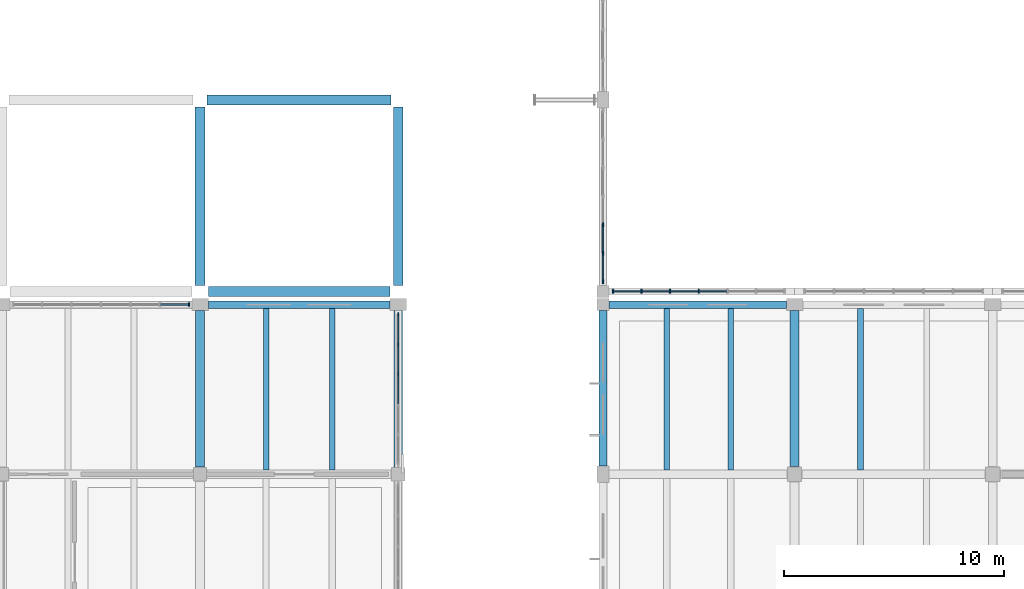
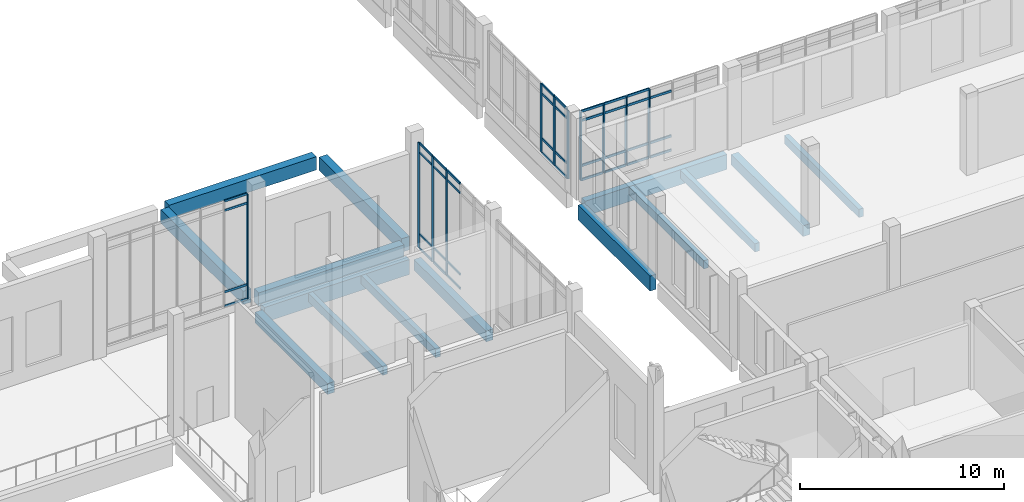
# One storey, part 32 of 110: 50 members, 15 beams, 4 elements without a shape of their own.
"""IFC4 building model written with IfcOpenShell, lengths in metres."""

from ifc_helpers import new_model, si_unit, direction, frame, origin, origin_2d, place, context, subcontext, project, spatial, rectangle, extrude, material, layer, layer_set, material_profile, profile_set, type_object, element, aggregate, save


model = new_model("IFC4")

# Units and contexts
model_context = context("Model", 3, precision=1e-05, world=origin(), true_north=direction((0.0, 1.0)))
body_context = subcontext(model_context, "Body", "Model", "MODEL_VIEW")
ifc_project = project(units=[si_unit("LENGTHUNIT", "METRE"), si_unit("AREAUNIT", "SQUARE_METRE"), si_unit("VOLUMEUNIT", "CUBIC_METRE"), si_unit("PLANEANGLEUNIT", "RADIAN"), si_unit("MASSUNIT", "GRAM", prefix="KILO")], contexts=[model_context])

# Site, building, storey
site_placement = place(None, origin())
site = spatial("IfcSite", under=ifc_project, at=site_placement, CompositionType="ELEMENT")
building_placement = place(site_placement, origin())
building = spatial("IfcBuilding", under=site, at=building_placement, Name="Zacnel Wholesale Market", CompositionType="ELEMENT")
storey_placement = place(building_placement, frame((0.0, 0.0, 6.300048828125)))
storey = spatial("IfcBuildingStorey", under=building, at=storey_placement, Name="L02", CompositionType="ELEMENT", Elevation=6.300048828125)

# Beams
ifc_material_1 = material(Name="Precast concrete C45/55", Category="concrete")
ifc_material_profile_1 = material_profile(ifc_material_1, rectangle(XDim=0.39990234375, YDim=0.64990234375, at=origin_2d()), Name="PG 400x650")
ifc_profile_set_1 = profile_set([ifc_material_profile_1], Name="Precast concrete C45/55")
beam_type_1 = type_object("IfcBeamType", Name="BM-PG650", PredefinedType="BEAM", material=ifc_profile_set_1)
for number, where, z_axis, x_axis, name in (
    (1, (126.0, 40.324951171875, -0.625), (0.0, 1.0, 0.0), (-1.0, 0.0, 0.0), "Precast girder Y-0456"),
    (2, (135.0, 40.324951171875, -0.625), (0.0, 1.0, 0.0), (-1.0, 0.0, 0.0), "Precast girder Y-0463"),
):
    element("IfcBeam", number, at=place(storey_placement, frame(where, z_axis=z_axis, x_axis=x_axis)), inside=storey, type_object=beam_type_1, Name=name, PredefinedType="BEAM", context=body_context, shape_type="SweptSolid", body=[
        extrude(rectangle(XDim=0.39990234375, YDim=0.64990234375, at=origin_2d()), origin(), (0.0, 0.0, 1.0), 7.10009765625),
    ])
beam_1_placement = place(storey_placement, frame((153.0, 40.35009765625, -0.625), z_axis=(0.0, 1.0, 0.0), x_axis=(-1.0, 0.0, 0.0)))
element("IfcBeam", 3, at=beam_1_placement, inside=storey, type_object=beam_type_1, Name="Precast girder Y-0486", PredefinedType="BEAM", context=body_context, shape_type="SweptSolid", body=[
    extrude(rectangle(XDim=0.39990234375, YDim=0.64990234375, at=origin_2d()), origin(), (0.0, 0.0, 1.0), 7.074951171875),
])
ifc_material_2 = material(Name="Precast concrete C45/55", Category="concrete")
ifc_material_profile_2 = material_profile(ifc_material_2, rectangle(XDim=0.449951171875, YDim=0.800048828125, at=origin_2d()), Name="PG 450x800")
ifc_profile_set_2 = profile_set([ifc_material_profile_2], Name="Precast concrete C45/55")
beam_type_2 = type_object("IfcBeamType", Name="BM-PG800", PredefinedType="BEAM", material=ifc_profile_set_2)
beam_2_placement = place(storey_placement, frame((126.375, 48.300048828125, -0.16015625), z_axis=(1.0, 0.0, 0.0), x_axis=(0.0, 1.0, 0.0)))
element("IfcBeam", 4, at=beam_2_placement, inside=storey, type_object=beam_type_2, Name="Precast girder X-0150", PredefinedType="BEAM", context=body_context, shape_type="SweptSolid", body=[
    extrude(rectangle(XDim=0.449951171875, YDim=0.800048828125, at=origin_2d()), origin(), (0.0, 0.0, 1.0), 8.25),
])
beam_3_placement = place(storey_placement, frame((126.324951171875, 57.0, -0.16015625), z_axis=(1.0, 0.0, 0.0), x_axis=(0.0, 1.0, 0.0)))
element("IfcBeam", 5, at=beam_3_placement, inside=storey, type_object=beam_type_2, Name="Precast girder X-0168", PredefinedType="BEAM", context=body_context, shape_type="SweptSolid", body=[
    extrude(rectangle(XDim=0.449951171875, YDim=0.800048828125, at=origin_2d()), origin(), (0.0, 0.0, 1.0), 8.35009765625),
])
for number, where, z_axis, x_axis, name in (
    (6, (126.0, 48.574951171875, -0.16015625), (0.0, 1.0, 0.0), (-1.0, 0.0, 0.0), "Precast girder Y-0457"),
    (7, (135.0, 48.574951171875, -0.16015625), (0.0, 1.0, 0.0), (-1.0, 0.0, 0.0), "Precast girder Y-0464"),
):
    element("IfcBeam", number, at=place(storey_placement, frame(where, z_axis=z_axis, x_axis=x_axis)), inside=storey, type_object=beam_type_2, Name=name, PredefinedType="BEAM", context=body_context, shape_type="SweptSolid", body=[
        extrude(rectangle(XDim=0.449951171875, YDim=0.800048828125, at=origin_2d()), origin(), (0.0, 0.0, 1.0), 8.10009765625),
    ])
ifc_material_3 = material(Name="Precast concrete C45/55", Category="concrete")
ifc_material_profile_3 = material_profile(ifc_material_3, rectangle(XDim=0.260009765625, YDim=0.5, at=origin_2d()), Name="PJ 260x500")
ifc_profile_set_3 = profile_set([ifc_material_profile_3], Name="Precast concrete C45/55")
beam_type_3 = type_object("IfcBeamType", Name="BM-PJ500", PredefinedType="HOLLOWCORE", material=ifc_profile_set_3)
for number, where, z_axis, x_axis, name in (
    (8, (129.0, 40.199951171875, -0.550048828125), (0.0, 1.0, 0.0), (-1.0, 0.0, 0.0), "Precast secondary joist L02-0167"),
    (9, (132.0, 40.199951171875, -0.550048828125), (0.0, 1.0, 0.0), (-1.0, 0.0, 0.0), "Precast secondary joist L02-0168"),
    (10, (147.199951171875, 40.199951171875, -0.550048828125), (0.0, 1.0, 0.0), (-1.0, 0.0, 0.0), "Precast secondary joist L02-0169"),
    (11, (150.10009765625, 40.199951171875, -0.550048828125), (0.0, 1.0, 0.0), (-1.0, 0.0, 0.0), "Precast secondary joist L02-0170"),
    (12, (156.0, 40.199951171875, -0.550048828125), (0.0, 1.0, 0.0), (-1.0, 0.0, 0.0), "Precast secondary joist L02-0171"),
):
    element("IfcBeam", number, at=place(storey_placement, frame(where, z_axis=z_axis, x_axis=x_axis)), inside=storey, type_object=beam_type_3, Name=name, PredefinedType="HOLLOWCORE", context=body_context, shape_type="SweptSolid", body=[
        extrude(rectangle(XDim=0.260009765625, YDim=0.5, at=origin_2d()), origin(), (0.0, 0.0, 1.0), 7.324951171875),
    ])
ifc_material_4 = material(Name="Precast concrete C45/55", Category="concrete")
ifc_material_profile_4 = material_profile(ifc_material_4, rectangle(XDim=0.35009765625, YDim=0.89990234375, at=origin_2d()), Name="SP 350x900")
ifc_profile_set_4 = profile_set([ifc_material_profile_4], Name="Precast concrete C45/55")
beam_type_4 = type_object("IfcBeamType", Name="BM-SP900", PredefinedType="SPANDREL", material=ifc_profile_set_4)
beam_4_placement = place(storey_placement, frame((126.375, 47.699951171875, -0.75), z_axis=(1.0, 0.0, 0.0), x_axis=(0.0, 1.0, 0.0)))
element("IfcBeam", 13, at=beam_4_placement, inside=storey, type_object=beam_type_4, Name="Precast girder X-0128", PredefinedType="SPANDREL", context=body_context, shape_type="SweptSolid", body=[
    extrude(rectangle(XDim=0.35009765625, YDim=0.89990234375, at=origin_2d()), origin(), (0.0, 0.0, 1.0), 8.25),
])
beam_5_placement = place(storey_placement, frame((144.574951171875, 47.699951171875, -0.75), z_axis=(1.0, 0.0, 0.0), x_axis=(0.0, 1.0, 0.0)))
element("IfcBeam", 14, at=beam_5_placement, inside=storey, type_object=beam_type_4, Name="Precast girder X-0129", PredefinedType="SPANDREL", context=body_context, shape_type="SweptSolid", body=[
    extrude(rectangle(XDim=0.35009765625, YDim=0.89990234375, at=origin_2d()), origin(), (0.0, 0.0, 1.0), 8.050048828125),
])
beam_6_placement = place(storey_placement, frame((144.300048828125, 40.375, -0.75), z_axis=(0.0, 1.0, 0.0), x_axis=(-1.0, 0.0, 0.0)))
element("IfcBeam", 15, at=beam_6_placement, inside=storey, type_object=beam_type_4, Name="Precast girder Y-0474", PredefinedType="SPANDREL", context=body_context, shape_type="SweptSolid", body=[
    extrude(rectangle(XDim=0.35009765625, YDim=0.89990234375, at=origin_2d()), origin(), (0.0, 0.0, 1.0), 7.050048828125),
])

# Curtain wall, members
ifc_material_5 = material(Name="Anodised aluminium", Category="aluminium")
ifc_layer_1 = layer(ifc_material_5, 0.159912109375)
ifc_layer_set_1 = layer_set([ifc_layer_1], Name="Anodised aluminium")
curtain_wall_type_1 = type_object("IfcCurtainWallType", Name="CW-NAVE-4200", PredefinedType="NOTDEFINED", material=ifc_layer_set_1)
curtain_wall_1_placement = place(storey_placement, origin())
curtain_wall_1 = element("IfcCurtainWall", 16, at=curtain_wall_1_placement, inside=storey, type_object=curtain_wall_type_1, Name="Curtain wall ENV-R2-CW-L02-037", PredefinedType="NOTDEFINED")
ifc_material_6 = material(Name="Anodised aluminium", Category="aluminium")
ifc_material_profile_5 = material_profile(ifc_material_6, rectangle(XDim=0.06494140625, YDim=0.179931640625, at=origin_2d()), Name="AW-MULLION 65x180")
ifc_profile_set_5 = profile_set([ifc_material_profile_5], Name="Anodised aluminium")
member_type_1 = type_object("IfcMemberType", Name="CWM-MUL-03", PredefinedType="MULLION", material=ifc_profile_set_5)
member_1_placement = place(storey_placement, frame((144.75, 48.300048828125, 0.449951171875), z_axis=(0.0, 0.0, 1.0), x_axis=(1.0, 0.0, 0.0)))
member_1 = element("IfcMember", 17, at=member_1_placement, type_object=member_type_1, Name="ENV-R2-CW-L02-037 mullion 01", PredefinedType="MULLION", context=body_context, shape_type="SweptSolid", body=[
    extrude(rectangle(XDim=0.06494140625, YDim=0.179931640625, at=origin_2d()), origin(), (0.0, 0.0, 1.0), 4.10009765625),
])
member_2_placement = place(storey_placement, frame((146.050048828125, 48.300048828125, 0.449951171875), z_axis=(0.0, 0.0, 1.0), x_axis=(1.0, 0.0, 0.0)))
member_2 = element("IfcMember", 18, at=member_2_placement, type_object=member_type_1, Name="ENV-R2-CW-L02-037 mullion 02", PredefinedType="MULLION", context=body_context, shape_type="SweptSolid", body=[
    extrude(rectangle(XDim=0.06494140625, YDim=0.179931640625, at=origin_2d()), origin(), (0.0, 0.0, 1.0), 4.10009765625),
])
member_3_placement = place(storey_placement, frame((147.35009765625, 48.300048828125, 0.449951171875), z_axis=(0.0, 0.0, 1.0), x_axis=(1.0, 0.0, 0.0)))
member_3 = element("IfcMember", 19, at=member_3_placement, type_object=member_type_1, Name="ENV-R2-CW-L02-037 mullion 03", PredefinedType="MULLION", context=body_context, shape_type="SweptSolid", body=[
    extrude(rectangle(XDim=0.06494140625, YDim=0.179931640625, at=origin_2d()), origin(), (0.0, 0.0, 1.0), 4.10009765625),
])
member_4_placement = place(storey_placement, frame((148.64990234375, 48.300048828125, 0.449951171875), z_axis=(0.0, 0.0, 1.0), x_axis=(1.0, 0.0, 0.0)))
member_4 = element("IfcMember", 20, at=member_4_placement, type_object=member_type_1, Name="ENV-R2-CW-L02-037 mullion 04", PredefinedType="MULLION", context=body_context, shape_type="SweptSolid", body=[
    extrude(rectangle(XDim=0.06494140625, YDim=0.179931640625, at=origin_2d()), origin(), (0.0, 0.0, 1.0), 4.10009765625),
])

curtain_wall_2_placement = place(storey_placement, origin())
curtain_wall_2 = element("IfcCurtainWall", 21, at=curtain_wall_2_placement, inside=storey, type_object=curtain_wall_type_1, Name="Curtain wall ENV-R2-CW-L02-041", PredefinedType="NOTDEFINED")
member_5_placement = place(storey_placement, frame((144.300048828125, 48.75, 0.449951171875), z_axis=(0.0, 0.0, 1.0), x_axis=(1.0, 0.0, 0.0)))
member_5 = element("IfcMember", 22, at=member_5_placement, type_object=member_type_1, Name="ENV-R2-CW-L02-041 mullion 01", PredefinedType="MULLION", context=body_context, shape_type="SweptSolid", body=[
    extrude(rectangle(XDim=0.06494140625, YDim=0.179931640625, at=origin_2d()), origin(), (0.0, 0.0, 1.0), 4.10009765625),
])
member_6_placement = place(storey_placement, frame((144.300048828125, 50.04248046875, 0.449951171875), z_axis=(0.0, 0.0, 1.0), x_axis=(1.0, 0.0, 0.0)))
member_6 = element("IfcMember", 23, at=member_6_placement, type_object=member_type_1, Name="ENV-R2-CW-L02-041 mullion 02", PredefinedType="MULLION", context=body_context, shape_type="SweptSolid", body=[
    extrude(rectangle(XDim=0.06494140625, YDim=0.179931640625, at=origin_2d()), origin(), (0.0, 0.0, 1.0), 4.10009765625),
])
member_7_placement = place(storey_placement, frame((144.300048828125, 51.3349609375, 0.449951171875), z_axis=(0.0, 0.0, 1.0), x_axis=(1.0, 0.0, 0.0)))
member_7 = element("IfcMember", 24, at=member_7_placement, type_object=member_type_1, Name="ENV-R2-CW-L02-041 mullion 03", PredefinedType="MULLION", context=body_context, shape_type="SweptSolid", body=[
    extrude(rectangle(XDim=0.06494140625, YDim=0.179931640625, at=origin_2d()), origin(), (0.0, 0.0, 1.0), 4.10009765625),
])

# Curtain wall, member
ifc_material_7 = material(Name="Anodised aluminium", Category="aluminium")
ifc_layer_2 = layer(ifc_material_7, 0.179931640625)
ifc_layer_set_2 = layer_set([ifc_layer_2], Name="Anodised aluminium")
curtain_wall_type_2 = type_object("IfcCurtainWallType", Name="CW-AUCT-5800", PredefinedType="NOTDEFINED", material=ifc_layer_set_2)
curtain_wall_3_placement = place(storey_placement, origin())
curtain_wall_3 = element("IfcCurtainWall", 25, at=curtain_wall_3_placement, inside=storey, type_object=curtain_wall_type_2, Name="Curtain wall ENV-R2-CW-L02-012", PredefinedType="NOTDEFINED")
ifc_material_8 = material(Name="Anodised aluminium", Category="aluminium")
ifc_material_profile_6 = material_profile(ifc_material_8, rectangle(XDim=0.06494140625, YDim=0.1650390625, at=origin_2d()), Name="AW-MULLION 65x165")
ifc_profile_set_6 = profile_set([ifc_material_profile_6], Name="Anodised aluminium")
member_type_2 = type_object("IfcMemberType", Name="CWM-MUL-04", PredefinedType="MULLION", material=ifc_profile_set_6)
member_8_placement = place(storey_placement, frame((125.5048828125, 47.699951171875, 0.449951171875), z_axis=(0.0, 0.0, 1.0), x_axis=(1.0, 0.0, 0.0)))
member_8 = element("IfcMember", 26, at=member_8_placement, type_object=member_type_2, Name="ENV-R2-CW-L02-012 mullion 07", PredefinedType="MULLION", context=body_context, shape_type="SweptSolid", body=[
    extrude(rectangle(XDim=0.06494140625, YDim=0.1650390625, at=origin_2d()), origin(), (0.0, 0.0, 1.0), 6.2900390625),
])

# Curtain wall, members
curtain_wall_4_placement = place(storey_placement, origin())
curtain_wall_4 = element("IfcCurtainWall", 27, at=curtain_wall_4_placement, inside=storey, type_object=curtain_wall_type_2, Name="Curtain wall ENV-R2-CW-L02-015", PredefinedType="NOTDEFINED")
member_9_placement = place(storey_placement, frame((135.0, 44.530029296875, 0.449951171875), z_axis=(0.0, 0.0, 1.0), x_axis=(1.0, 0.0, 0.0)))
member_9 = element("IfcMember", 28, at=member_9_placement, type_object=member_type_2, Name="ENV-R2-CW-L02-015 mullion 04", PredefinedType="MULLION", context=body_context, shape_type="SweptSolid", body=[
    extrude(rectangle(XDim=0.06494140625, YDim=0.1650390625, at=origin_2d()), origin(), (0.0, 0.0, 1.0), 6.2900390625),
])
member_10_placement = place(storey_placement, frame((135.0, 45.889892578125, 0.449951171875), z_axis=(0.0, 0.0, 1.0), x_axis=(1.0, 0.0, 0.0)))
member_10 = element("IfcMember", 29, at=member_10_placement, type_object=member_type_2, Name="ENV-R2-CW-L02-015 mullion 05", PredefinedType="MULLION", context=body_context, shape_type="SweptSolid", body=[
    extrude(rectangle(XDim=0.06494140625, YDim=0.1650390625, at=origin_2d()), origin(), (0.0, 0.0, 1.0), 6.2900390625),
])
member_11_placement = place(storey_placement, frame((135.0, 47.25, 0.449951171875), z_axis=(0.0, 0.0, 1.0), x_axis=(1.0, 0.0, 0.0)))
member_11 = element("IfcMember", 30, at=member_11_placement, type_object=member_type_2, Name="ENV-R2-CW-L02-015 mullion 06", PredefinedType="MULLION", context=body_context, shape_type="SweptSolid", body=[
    extrude(rectangle(XDim=0.06494140625, YDim=0.1650390625, at=origin_2d()), origin(), (0.0, 0.0, 1.0), 6.2900390625),
])

# Member
ifc_material_9 = material(Name="Anodised aluminium", Category="aluminium")
ifc_material_profile_7 = material_profile(ifc_material_9, rectangle(XDim=0.06494140625, YDim=0.139892578125, at=origin_2d()), Name="AW-TRANSOM 65x140")
ifc_profile_set_7 = profile_set([ifc_material_profile_7], Name="Anodised aluminium")
member_type_3 = type_object("IfcMemberType", Name="CWM-TRN-03", PredefinedType="USERDEFINED", material=ifc_profile_set_7)
member_12_placement = place(storey_placement, frame((144.784912109375, 48.300048828125, 0.449951171875), z_axis=(1.0, 0.0, 0.0), x_axis=(0.0, 1.0, 0.0)))
member_12 = element("IfcMember", 31, at=member_12_placement, type_object=member_type_3, Name="ENV-R2-CW-L02-037 transom 1-1", ObjectType="TRANSOM", PredefinedType="USERDEFINED", context=body_context, shape_type="SweptSolid", body=[
    extrude(rectangle(XDim=0.06494140625, YDim=0.139892578125, at=origin_2d()), origin(), (0.0, 0.0, 1.0), 1.22998046875),
])

member_13_placement = place(storey_placement, frame((144.784912109375, 48.300048828125, 1.300048828125), z_axis=(1.0, 0.0, 0.0), x_axis=(0.0, 1.0, 0.0)))
member_13 = element("IfcMember", 32, at=member_13_placement, type_object=member_type_3, Name="ENV-R2-CW-L02-037 transom 1-2", ObjectType="TRANSOM", PredefinedType="USERDEFINED", context=body_context, shape_type="SweptSolid", body=[
    extrude(rectangle(XDim=0.06494140625, YDim=0.139892578125, at=origin_2d()), origin(), (0.0, 0.0, 1.0), 1.22998046875),
])

member_14_placement = place(storey_placement, frame((144.784912109375, 48.300048828125, 4.0), z_axis=(1.0, 0.0, 0.0), x_axis=(0.0, 1.0, 0.0)))
member_14 = element("IfcMember", 33, at=member_14_placement, type_object=member_type_3, Name="ENV-R2-CW-L02-037 transom 1-3", ObjectType="TRANSOM", PredefinedType="USERDEFINED", context=body_context, shape_type="SweptSolid", body=[
    extrude(rectangle(XDim=0.06494140625, YDim=0.139892578125, at=origin_2d()), origin(), (0.0, 0.0, 1.0), 1.22998046875),
])

member_15_placement = place(storey_placement, frame((144.784912109375, 48.300048828125, 4.550048828125), z_axis=(1.0, 0.0, 0.0), x_axis=(0.0, 1.0, 0.0)))
member_15 = element("IfcMember", 34, at=member_15_placement, type_object=member_type_3, Name="ENV-R2-CW-L02-037 transom 1-4", ObjectType="TRANSOM", PredefinedType="USERDEFINED", context=body_context, shape_type="SweptSolid", body=[
    extrude(rectangle(XDim=0.06494140625, YDim=0.139892578125, at=origin_2d()), origin(), (0.0, 0.0, 1.0), 1.22998046875),
])

member_16_placement = place(storey_placement, frame((146.0849609375, 48.300048828125, 0.449951171875), z_axis=(1.0, 0.0, 0.0), x_axis=(0.0, 1.0, 0.0)))
member_16 = element("IfcMember", 35, at=member_16_placement, type_object=member_type_3, Name="ENV-R2-CW-L02-037 transom 2-1", ObjectType="TRANSOM", PredefinedType="USERDEFINED", context=body_context, shape_type="SweptSolid", body=[
    extrude(rectangle(XDim=0.06494140625, YDim=0.139892578125, at=origin_2d()), origin(), (0.0, 0.0, 1.0), 1.22998046875),
])

member_17_placement = place(storey_placement, frame((146.0849609375, 48.300048828125, 1.300048828125), z_axis=(1.0, 0.0, 0.0), x_axis=(0.0, 1.0, 0.0)))
member_17 = element("IfcMember", 36, at=member_17_placement, type_object=member_type_3, Name="ENV-R2-CW-L02-037 transom 2-2", ObjectType="TRANSOM", PredefinedType="USERDEFINED", context=body_context, shape_type="SweptSolid", body=[
    extrude(rectangle(XDim=0.06494140625, YDim=0.139892578125, at=origin_2d()), origin(), (0.0, 0.0, 1.0), 1.22998046875),
])

member_18_placement = place(storey_placement, frame((146.0849609375, 48.300048828125, 4.0), z_axis=(1.0, 0.0, 0.0), x_axis=(0.0, 1.0, 0.0)))
member_18 = element("IfcMember", 37, at=member_18_placement, type_object=member_type_3, Name="ENV-R2-CW-L02-037 transom 2-3", ObjectType="TRANSOM", PredefinedType="USERDEFINED", context=body_context, shape_type="SweptSolid", body=[
    extrude(rectangle(XDim=0.06494140625, YDim=0.139892578125, at=origin_2d()), origin(), (0.0, 0.0, 1.0), 1.22998046875),
])

member_19_placement = place(storey_placement, frame((146.0849609375, 48.300048828125, 4.550048828125), z_axis=(1.0, 0.0, 0.0), x_axis=(0.0, 1.0, 0.0)))
member_19 = element("IfcMember", 38, at=member_19_placement, type_object=member_type_3, Name="ENV-R2-CW-L02-037 transom 2-4", ObjectType="TRANSOM", PredefinedType="USERDEFINED", context=body_context, shape_type="SweptSolid", body=[
    extrude(rectangle(XDim=0.06494140625, YDim=0.139892578125, at=origin_2d()), origin(), (0.0, 0.0, 1.0), 1.22998046875),
])

member_20_placement = place(storey_placement, frame((147.385009765625, 48.300048828125, 0.449951171875), z_axis=(1.0, 0.0, 0.0), x_axis=(0.0, 1.0, 0.0)))
member_20 = element("IfcMember", 39, at=member_20_placement, type_object=member_type_3, Name="ENV-R2-CW-L02-037 transom 3-1", ObjectType="TRANSOM", PredefinedType="USERDEFINED", context=body_context, shape_type="SweptSolid", body=[
    extrude(rectangle(XDim=0.06494140625, YDim=0.139892578125, at=origin_2d()), origin(), (0.0, 0.0, 1.0), 1.22998046875),
])

member_21_placement = place(storey_placement, frame((147.385009765625, 48.300048828125, 1.300048828125), z_axis=(1.0, 0.0, 0.0), x_axis=(0.0, 1.0, 0.0)))
member_21 = element("IfcMember", 40, at=member_21_placement, type_object=member_type_3, Name="ENV-R2-CW-L02-037 transom 3-2", ObjectType="TRANSOM", PredefinedType="USERDEFINED", context=body_context, shape_type="SweptSolid", body=[
    extrude(rectangle(XDim=0.06494140625, YDim=0.139892578125, at=origin_2d()), origin(), (0.0, 0.0, 1.0), 1.22998046875),
])

member_22_placement = place(storey_placement, frame((147.385009765625, 48.300048828125, 4.0), z_axis=(1.0, 0.0, 0.0), x_axis=(0.0, 1.0, 0.0)))
member_22 = element("IfcMember", 41, at=member_22_placement, type_object=member_type_3, Name="ENV-R2-CW-L02-037 transom 3-3", ObjectType="TRANSOM", PredefinedType="USERDEFINED", context=body_context, shape_type="SweptSolid", body=[
    extrude(rectangle(XDim=0.06494140625, YDim=0.139892578125, at=origin_2d()), origin(), (0.0, 0.0, 1.0), 1.22998046875),
])

member_23_placement = place(storey_placement, frame((147.385009765625, 48.300048828125, 4.550048828125), z_axis=(1.0, 0.0, 0.0), x_axis=(0.0, 1.0, 0.0)))
member_23 = element("IfcMember", 42, at=member_23_placement, type_object=member_type_3, Name="ENV-R2-CW-L02-037 transom 3-4", ObjectType="TRANSOM", PredefinedType="USERDEFINED", context=body_context, shape_type="SweptSolid", body=[
    extrude(rectangle(XDim=0.06494140625, YDim=0.139892578125, at=origin_2d()), origin(), (0.0, 0.0, 1.0), 1.22998046875),
])

member_24_placement = place(storey_placement, frame((148.68505859375, 48.300048828125, 0.449951171875), z_axis=(1.0, 0.0, 0.0), x_axis=(0.0, 1.0, 0.0)))
member_24 = element("IfcMember", 43, at=member_24_placement, type_object=member_type_3, Name="ENV-R2-CW-L02-037 transom 4-1", ObjectType="TRANSOM", PredefinedType="USERDEFINED", context=body_context, shape_type="SweptSolid", body=[
    extrude(rectangle(XDim=0.06494140625, YDim=0.139892578125, at=origin_2d()), origin(), (0.0, 0.0, 1.0), 1.22998046875),
])

member_25_placement = place(storey_placement, frame((148.68505859375, 48.300048828125, 1.300048828125), z_axis=(1.0, 0.0, 0.0), x_axis=(0.0, 1.0, 0.0)))
member_25 = element("IfcMember", 44, at=member_25_placement, type_object=member_type_3, Name="ENV-R2-CW-L02-037 transom 4-2", ObjectType="TRANSOM", PredefinedType="USERDEFINED", context=body_context, shape_type="SweptSolid", body=[
    extrude(rectangle(XDim=0.06494140625, YDim=0.139892578125, at=origin_2d()), origin(), (0.0, 0.0, 1.0), 1.22998046875),
])

member_26_placement = place(storey_placement, frame((148.68505859375, 48.300048828125, 4.0), z_axis=(1.0, 0.0, 0.0), x_axis=(0.0, 1.0, 0.0)))
member_26 = element("IfcMember", 45, at=member_26_placement, type_object=member_type_3, Name="ENV-R2-CW-L02-037 transom 4-3", ObjectType="TRANSOM", PredefinedType="USERDEFINED", context=body_context, shape_type="SweptSolid", body=[
    extrude(rectangle(XDim=0.06494140625, YDim=0.139892578125, at=origin_2d()), origin(), (0.0, 0.0, 1.0), 1.22998046875),
])

aggregate(curtain_wall_1, [member_1, member_2, member_3, member_4, member_12, member_13, member_14, member_15, member_16, member_17, member_18, member_19, member_20, member_21, member_22, member_23, member_24, member_25, member_26])

member_27_placement = place(storey_placement, frame((144.300048828125, 48.784912109375, 0.449951171875), z_axis=(0.0, 1.0, 0.0), x_axis=(-1.0, 0.0, 0.0)))
member_27 = element("IfcMember", 46, at=member_27_placement, type_object=member_type_3, Name="ENV-R2-CW-L02-041 transom 1-1", ObjectType="TRANSOM", PredefinedType="USERDEFINED", context=body_context, shape_type="SweptSolid", body=[
    extrude(rectangle(XDim=0.06494140625, YDim=0.139892578125, at=origin_2d()), origin(), (0.0, 0.0, 1.0), 1.22265625),
])

member_28_placement = place(storey_placement, frame((144.300048828125, 48.784912109375, 1.300048828125), z_axis=(0.0, 1.0, 0.0), x_axis=(-1.0, 0.0, 0.0)))
member_28 = element("IfcMember", 47, at=member_28_placement, type_object=member_type_3, Name="ENV-R2-CW-L02-041 transom 1-2", ObjectType="TRANSOM", PredefinedType="USERDEFINED", context=body_context, shape_type="SweptSolid", body=[
    extrude(rectangle(XDim=0.06494140625, YDim=0.139892578125, at=origin_2d()), origin(), (0.0, 0.0, 1.0), 1.22265625),
])

member_29_placement = place(storey_placement, frame((144.300048828125, 48.784912109375, 4.0), z_axis=(0.0, 1.0, 0.0), x_axis=(-1.0, 0.0, 0.0)))
member_29 = element("IfcMember", 48, at=member_29_placement, type_object=member_type_3, Name="ENV-R2-CW-L02-041 transom 1-3", ObjectType="TRANSOM", PredefinedType="USERDEFINED", context=body_context, shape_type="SweptSolid", body=[
    extrude(rectangle(XDim=0.06494140625, YDim=0.139892578125, at=origin_2d()), origin(), (0.0, 0.0, 1.0), 1.22265625),
])

member_30_placement = place(storey_placement, frame((144.300048828125, 48.784912109375, 4.550048828125), z_axis=(0.0, 1.0, 0.0), x_axis=(-1.0, 0.0, 0.0)))
member_30 = element("IfcMember", 49, at=member_30_placement, type_object=member_type_3, Name="ENV-R2-CW-L02-041 transom 1-4", ObjectType="TRANSOM", PredefinedType="USERDEFINED", context=body_context, shape_type="SweptSolid", body=[
    extrude(rectangle(XDim=0.06494140625, YDim=0.139892578125, at=origin_2d()), origin(), (0.0, 0.0, 1.0), 1.22265625),
])

member_31_placement = place(storey_placement, frame((144.300048828125, 50.077392578125, 0.449951171875), z_axis=(0.0, 1.0, 0.0), x_axis=(-1.0, 0.0, 0.0)))
member_31 = element("IfcMember", 50, at=member_31_placement, type_object=member_type_3, Name="ENV-R2-CW-L02-041 transom 2-1", ObjectType="TRANSOM", PredefinedType="USERDEFINED", context=body_context, shape_type="SweptSolid", body=[
    extrude(rectangle(XDim=0.06494140625, YDim=0.139892578125, at=origin_2d()), origin(), (0.0, 0.0, 1.0), 1.22265625),
])

member_32_placement = place(storey_placement, frame((144.300048828125, 50.077392578125, 1.300048828125), z_axis=(0.0, 1.0, 0.0), x_axis=(-1.0, 0.0, 0.0)))
member_32 = element("IfcMember", 51, at=member_32_placement, type_object=member_type_3, Name="ENV-R2-CW-L02-041 transom 2-2", ObjectType="TRANSOM", PredefinedType="USERDEFINED", context=body_context, shape_type="SweptSolid", body=[
    extrude(rectangle(XDim=0.06494140625, YDim=0.139892578125, at=origin_2d()), origin(), (0.0, 0.0, 1.0), 1.22265625),
])

member_33_placement = place(storey_placement, frame((144.300048828125, 50.077392578125, 4.0), z_axis=(0.0, 1.0, 0.0), x_axis=(-1.0, 0.0, 0.0)))
member_33 = element("IfcMember", 52, at=member_33_placement, type_object=member_type_3, Name="ENV-R2-CW-L02-041 transom 2-3", ObjectType="TRANSOM", PredefinedType="USERDEFINED", context=body_context, shape_type="SweptSolid", body=[
    extrude(rectangle(XDim=0.06494140625, YDim=0.139892578125, at=origin_2d()), origin(), (0.0, 0.0, 1.0), 1.22265625),
])

member_34_placement = place(storey_placement, frame((144.300048828125, 50.077392578125, 4.550048828125), z_axis=(0.0, 1.0, 0.0), x_axis=(-1.0, 0.0, 0.0)))
member_34 = element("IfcMember", 53, at=member_34_placement, type_object=member_type_3, Name="ENV-R2-CW-L02-041 transom 2-4", ObjectType="TRANSOM", PredefinedType="USERDEFINED", context=body_context, shape_type="SweptSolid", body=[
    extrude(rectangle(XDim=0.06494140625, YDim=0.139892578125, at=origin_2d()), origin(), (0.0, 0.0, 1.0), 1.22265625),
])

aggregate(curtain_wall_2, [member_5, member_6, member_7, member_27, member_28, member_29, member_30, member_31, member_32, member_33, member_34])

ifc_material_10 = material(Name="Anodised aluminium", Category="aluminium")
ifc_material_profile_8 = material_profile(ifc_material_10, rectangle(XDim=0.06494140625, YDim=0.125, at=origin_2d()), Name="AW-TRANSOM 65x125")
ifc_profile_set_8 = profile_set([ifc_material_profile_8], Name="Anodised aluminium")
member_type_4 = type_object("IfcMemberType", Name="CWM-TRN-04", PredefinedType="USERDEFINED", material=ifc_profile_set_8)
member_35_placement = place(storey_placement, frame((124.205078125, 47.699951171875, 0.449951171875), z_axis=(1.0, 0.0, 0.0), x_axis=(0.0, 1.0, 0.0)))
member_35 = element("IfcMember", 54, at=member_35_placement, type_object=member_type_4, Name="ENV-R2-CW-L02-012 transom 6-1", ObjectType="TRANSOM", PredefinedType="USERDEFINED", context=body_context, shape_type="SweptSolid", body=[
    extrude(rectangle(XDim=0.06494140625, YDim=0.125, at=origin_2d()), origin(), (0.0, 0.0, 1.0), 1.264892578125),
])

member_36_placement = place(storey_placement, frame((124.205078125, 47.699951171875, 1.300048828125), z_axis=(1.0, 0.0, 0.0), x_axis=(0.0, 1.0, 0.0)))
member_36 = element("IfcMember", 55, at=member_36_placement, type_object=member_type_4, Name="ENV-R2-CW-L02-012 transom 6-2", ObjectType="TRANSOM", PredefinedType="USERDEFINED", context=body_context, shape_type="SweptSolid", body=[
    extrude(rectangle(XDim=0.06494140625, YDim=0.125, at=origin_2d()), origin(), (0.0, 0.0, 1.0), 1.264892578125),
])

member_37_placement = place(storey_placement, frame((124.205078125, 47.699951171875, 6.18994140625), z_axis=(1.0, 0.0, 0.0), x_axis=(0.0, 1.0, 0.0)))
member_37 = element("IfcMember", 56, at=member_37_placement, type_object=member_type_4, Name="ENV-R2-CW-L02-012 transom 6-3", ObjectType="TRANSOM", PredefinedType="USERDEFINED", context=body_context, shape_type="SweptSolid", body=[
    extrude(rectangle(XDim=0.06494140625, YDim=0.125, at=origin_2d()), origin(), (0.0, 0.0, 1.0), 1.264892578125),
])

member_38_placement = place(storey_placement, frame((124.205078125, 47.699951171875, 6.739990234375), z_axis=(1.0, 0.0, 0.0), x_axis=(0.0, 1.0, 0.0)))
member_38 = element("IfcMember", 57, at=member_38_placement, type_object=member_type_4, Name="ENV-R2-CW-L02-012 transom 6-4", ObjectType="TRANSOM", PredefinedType="USERDEFINED", context=body_context, shape_type="SweptSolid", body=[
    extrude(rectangle(XDim=0.06494140625, YDim=0.125, at=origin_2d()), origin(), (0.0, 0.0, 1.0), 1.264892578125),
])

aggregate(curtain_wall_3, [member_8, member_35, member_36, member_37, member_38])

member_39_placement = place(storey_placement, frame((135.0, 43.205078125, 0.449951171875), z_axis=(0.0, 1.0, 0.0), x_axis=(-1.0, 0.0, 0.0)))
member_39 = element("IfcMember", 58, at=member_39_placement, type_object=member_type_4, Name="ENV-R2-CW-L02-015 transom 3-1", ObjectType="TRANSOM", PredefinedType="USERDEFINED", context=body_context, shape_type="SweptSolid", body=[
    extrude(rectangle(XDim=0.06494140625, YDim=0.125, at=origin_2d()), origin(), (0.0, 0.0, 1.0), 1.2900390625),
])

member_40_placement = place(storey_placement, frame((135.0, 43.205078125, 1.300048828125), z_axis=(0.0, 1.0, 0.0), x_axis=(-1.0, 0.0, 0.0)))
member_40 = element("IfcMember", 59, at=member_40_placement, type_object=member_type_4, Name="ENV-R2-CW-L02-015 transom 3-2", ObjectType="TRANSOM", PredefinedType="USERDEFINED", context=body_context, shape_type="SweptSolid", body=[
    extrude(rectangle(XDim=0.06494140625, YDim=0.125, at=origin_2d()), origin(), (0.0, 0.0, 1.0), 1.2900390625),
])

member_41_placement = place(storey_placement, frame((135.0, 43.205078125, 6.18994140625), z_axis=(0.0, 1.0, 0.0), x_axis=(-1.0, 0.0, 0.0)))
member_41 = element("IfcMember", 60, at=member_41_placement, type_object=member_type_4, Name="ENV-R2-CW-L02-015 transom 3-3", ObjectType="TRANSOM", PredefinedType="USERDEFINED", context=body_context, shape_type="SweptSolid", body=[
    extrude(rectangle(XDim=0.06494140625, YDim=0.125, at=origin_2d()), origin(), (0.0, 0.0, 1.0), 1.2900390625),
])

member_42_placement = place(storey_placement, frame((135.0, 43.205078125, 6.739990234375), z_axis=(0.0, 1.0, 0.0), x_axis=(-1.0, 0.0, 0.0)))
member_42 = element("IfcMember", 61, at=member_42_placement, type_object=member_type_4, Name="ENV-R2-CW-L02-015 transom 3-4", ObjectType="TRANSOM", PredefinedType="USERDEFINED", context=body_context, shape_type="SweptSolid", body=[
    extrude(rectangle(XDim=0.06494140625, YDim=0.125, at=origin_2d()), origin(), (0.0, 0.0, 1.0), 1.2900390625),
])

member_43_placement = place(storey_placement, frame((135.0, 44.56494140625, 0.449951171875), z_axis=(0.0, 1.0, 0.0), x_axis=(-1.0, 0.0, 0.0)))
member_43 = element("IfcMember", 62, at=member_43_placement, type_object=member_type_4, Name="ENV-R2-CW-L02-015 transom 4-1", ObjectType="TRANSOM", PredefinedType="USERDEFINED", context=body_context, shape_type="SweptSolid", body=[
    extrude(rectangle(XDim=0.06494140625, YDim=0.125, at=origin_2d()), origin(), (0.0, 0.0, 1.0), 1.2900390625),
])

member_44_placement = place(storey_placement, frame((135.0, 44.56494140625, 1.300048828125), z_axis=(0.0, 1.0, 0.0), x_axis=(-1.0, 0.0, 0.0)))
member_44 = element("IfcMember", 63, at=member_44_placement, type_object=member_type_4, Name="ENV-R2-CW-L02-015 transom 4-2", ObjectType="TRANSOM", PredefinedType="USERDEFINED", context=body_context, shape_type="SweptSolid", body=[
    extrude(rectangle(XDim=0.06494140625, YDim=0.125, at=origin_2d()), origin(), (0.0, 0.0, 1.0), 1.2900390625),
])

member_45_placement = place(storey_placement, frame((135.0, 44.56494140625, 6.18994140625), z_axis=(0.0, 1.0, 0.0), x_axis=(-1.0, 0.0, 0.0)))
member_45 = element("IfcMember", 64, at=member_45_placement, type_object=member_type_4, Name="ENV-R2-CW-L02-015 transom 4-3", ObjectType="TRANSOM", PredefinedType="USERDEFINED", context=body_context, shape_type="SweptSolid", body=[
    extrude(rectangle(XDim=0.06494140625, YDim=0.125, at=origin_2d()), origin(), (0.0, 0.0, 1.0), 1.2900390625),
])

member_46_placement = place(storey_placement, frame((135.0, 44.56494140625, 6.739990234375), z_axis=(0.0, 1.0, 0.0), x_axis=(-1.0, 0.0, 0.0)))
member_46 = element("IfcMember", 65, at=member_46_placement, type_object=member_type_4, Name="ENV-R2-CW-L02-015 transom 4-4", ObjectType="TRANSOM", PredefinedType="USERDEFINED", context=body_context, shape_type="SweptSolid", body=[
    extrude(rectangle(XDim=0.06494140625, YDim=0.125, at=origin_2d()), origin(), (0.0, 0.0, 1.0), 1.2900390625),
])

member_47_placement = place(storey_placement, frame((135.0, 45.925048828125, 0.449951171875), z_axis=(0.0, 1.0, 0.0), x_axis=(-1.0, 0.0, 0.0)))
member_47 = element("IfcMember", 66, at=member_47_placement, type_object=member_type_4, Name="ENV-R2-CW-L02-015 transom 5-1", ObjectType="TRANSOM", PredefinedType="USERDEFINED", context=body_context, shape_type="SweptSolid", body=[
    extrude(rectangle(XDim=0.06494140625, YDim=0.125, at=origin_2d()), origin(), (0.0, 0.0, 1.0), 1.2900390625),
])

member_48_placement = place(storey_placement, frame((135.0, 45.925048828125, 1.300048828125), z_axis=(0.0, 1.0, 0.0), x_axis=(-1.0, 0.0, 0.0)))
member_48 = element("IfcMember", 67, at=member_48_placement, type_object=member_type_4, Name="ENV-R2-CW-L02-015 transom 5-2", ObjectType="TRANSOM", PredefinedType="USERDEFINED", context=body_context, shape_type="SweptSolid", body=[
    extrude(rectangle(XDim=0.06494140625, YDim=0.125, at=origin_2d()), origin(), (0.0, 0.0, 1.0), 1.2900390625),
])

member_49_placement = place(storey_placement, frame((135.0, 45.925048828125, 6.18994140625), z_axis=(0.0, 1.0, 0.0), x_axis=(-1.0, 0.0, 0.0)))
member_49 = element("IfcMember", 68, at=member_49_placement, type_object=member_type_4, Name="ENV-R2-CW-L02-015 transom 5-3", ObjectType="TRANSOM", PredefinedType="USERDEFINED", context=body_context, shape_type="SweptSolid", body=[
    extrude(rectangle(XDim=0.06494140625, YDim=0.125, at=origin_2d()), origin(), (0.0, 0.0, 1.0), 1.2900390625),
])

member_50_placement = place(storey_placement, frame((135.0, 45.925048828125, 6.739990234375), z_axis=(0.0, 1.0, 0.0), x_axis=(-1.0, 0.0, 0.0)))
member_50 = element("IfcMember", 69, at=member_50_placement, type_object=member_type_4, Name="ENV-R2-CW-L02-015 transom 5-4", ObjectType="TRANSOM", PredefinedType="USERDEFINED", context=body_context, shape_type="SweptSolid", body=[
    extrude(rectangle(XDim=0.06494140625, YDim=0.125, at=origin_2d()), origin(), (0.0, 0.0, 1.0), 1.2900390625),
])

aggregate(curtain_wall_4, [member_9, member_10, member_11, member_39, member_40, member_41, member_42, member_43, member_44, member_45, member_46, member_47, member_48, member_49, member_50])

save(model, "model.ifc")
